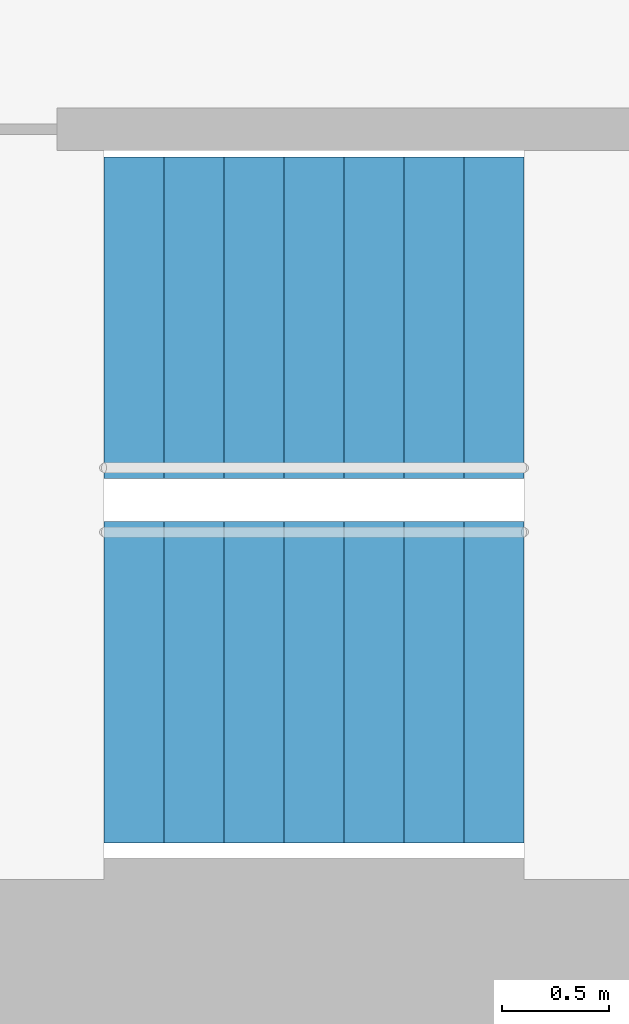
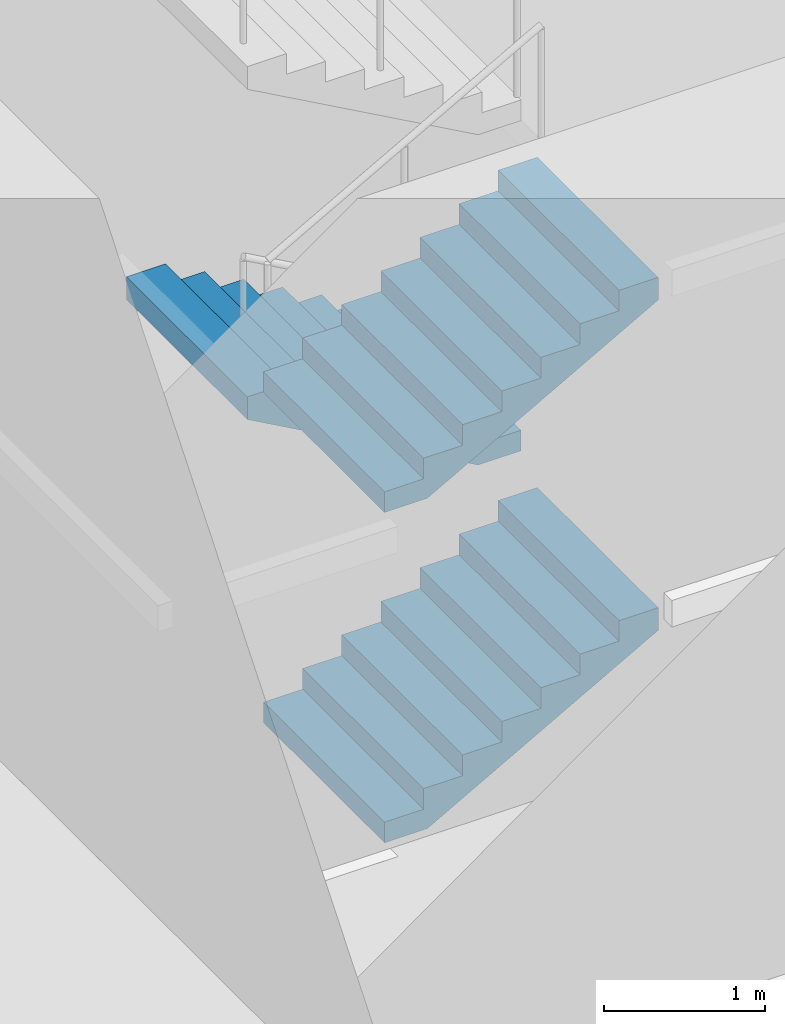
# One storey, part 20 of 25: 3 stair flights, 1 element without a shape of its own.
"""IFC4 building model written with IfcOpenShell, lengths in metres."""

from ifc_helpers import new_model, si_unit, direction, frame, origin, place, context, subcontext, project, spatial, triangles, material, type_object, element, aggregate, save


model = new_model("IFC4")

# Units and contexts
model_context = context("Model", 3, precision=1e-05, world=origin(), true_north=direction((0.0, 1.0)))
body_context = subcontext(model_context, "Body", "Model", "MODEL_VIEW")
ifc_project = project(units=[si_unit("LENGTHUNIT", "METRE"), si_unit("AREAUNIT", "SQUARE_METRE"), si_unit("VOLUMEUNIT", "CUBIC_METRE"), si_unit("PLANEANGLEUNIT", "RADIAN"), si_unit("MASSUNIT", "GRAM", prefix="KILO")], contexts=[model_context])

# Site, building, storey
site_placement = place(None, origin())
site = spatial("IfcSite", under=ifc_project, at=site_placement, CompositionType="ELEMENT")
building_placement = place(site_placement, origin())
building = spatial("IfcBuilding", under=site, at=building_placement, Name="Lantaw Convention Tower", CompositionType="ELEMENT")
storey_placement = place(building_placement, frame((0.0, 0.0, 32.0)))
storey = spatial("IfcBuildingStorey", under=building, at=storey_placement, Name="L05", CompositionType="ELEMENT", Elevation=32.0)

# Stair, stair flights
ifc_material = material(Name="Concrete C35/45", Category="concrete")
stair_type = type_object("IfcStairType", Name="Exit stair 1500 riser 156.25 in 4 flights", PredefinedType="HALF_TURN_STAIR", material=ifc_material)
stair_placement = place(storey_placement, origin())
stair = element("IfcStair", 1, at=stair_placement, inside=storey, type_object=stair_type, Name="Exit stair S1 L05", PredefinedType="HALF_TURN_STAIR")
stair_flight_type = type_object("IfcStairFlightType", Name="Stair flight 1500 riser 156.25", PredefinedType="STRAIGHT", material=ifc_material)
stair_flight_1_placement = place(storey_placement, frame((-10.580078125, -5.97998046875, 0.0), z_axis=(0.0, 0.0, 1.0), x_axis=(1.0, 0.0, 0.0)))
stair_flight_1 = element("IfcStairFlight", 2, at=stair_flight_1_placement, type_object=stair_flight_type, Name="S1 flight 1", NumberOfRisers=8, NumberOfTreads=7, PredefinedType="STRAIGHT", RiserHeight=0.15625, TreadLength=0.28, context=body_context, shape_type="Tessellation", body=[
    triangles([(0.0, 0.75, 0.0), (0.0, 0.75, 0.15625), (0.28, 0.75, 0.0), (0.28, 0.75, 0.15625), (0.28, 0.75, 0.3125), (0.3076200632058044, 0.75, 0.0), (0.3076200632058044, 0.75, 0.3125), (0.56, 0.75, 0.14083701830033238), (0.56, 0.75, 0.3125), (0.56, 0.75, 0.46875), (0.8400000000000001, 0.75, 0.29708701830033235), (0.8400000000000001, 0.75, 0.46875), (0.8400000000000001, 0.75, 0.625), (1.12, 0.75, 0.45333701830033235), (1.12, 0.75, 0.625), (1.12, 0.75, 0.78125), (1.4000000000000001, 0.75, 0.6095870183003324), (1.4000000000000001, 0.75, 0.78125), (1.4000000000000001, 0.75, 0.9375), (1.6800000000000002, 0.75, 0.7658370183003324), (1.6800000000000002, 0.75, 0.9375), (1.6800000000000002, 0.75, 1.09375), (1.9600000000000002, 0.75, 0.9220870183003324), (1.9600000000000002, 0.75, 1.09375), (0.0, -0.75, 0.0), (0.0, -0.75, 0.15625), (0.28, -0.75, 0.0), (0.28, -0.75, 0.15625), (0.28, -0.75, 0.3125), (0.3076200632058044, -0.75, 0.0), (0.3076200632058044, -0.75, 0.3125), (0.56, -0.75, 0.14083701830033238), (0.56, -0.75, 0.3125), (0.56, -0.75, 0.46875), (0.8400000000000001, -0.75, 0.29708701830033235), (0.8400000000000001, -0.75, 0.46875), (0.8400000000000001, -0.75, 0.625), (1.12, -0.75, 0.45333701830033235), (1.12, -0.75, 0.625), (1.12, -0.75, 0.78125), (1.4000000000000001, -0.75, 0.6095870183003324), (1.4000000000000001, -0.75, 0.78125), (1.4000000000000001, -0.75, 0.9375), (1.6800000000000002, -0.75, 0.7658370183003324), (1.6800000000000002, -0.75, 0.9375), (1.6800000000000002, -0.75, 1.09375), (1.9600000000000002, -0.75, 0.9220870183003324), (1.9600000000000002, -0.75, 1.09375), (0.0, 0.15000000000000002, 0.15625), (0.0, 0.15000000000000002, 0.0), (0.0, 0.0, 0.15625), (0.0, 0.0, 0.0), (0.0, -0.15000000000000002, 0.15625), (0.0, -0.15000000000000002, 0.0), (0.28, 0.15000000000000002, 0.3125), (0.28, 0.15000000000000002, 0.15625), (0.28, 0.0, 0.3125), (0.28, 0.0, 0.15625), (0.28, -0.15000000000000002, 0.3125), (0.28, -0.15000000000000002, 0.15625), (0.56, 0.15000000000000002, 0.46875), (0.56, 0.15000000000000002, 0.3125), (0.56, 0.0, 0.46875), (0.56, 0.0, 0.3125), (0.56, -0.15000000000000002, 0.46875), (0.56, -0.15000000000000002, 0.3125), (0.8400000000000001, 0.15000000000000002, 0.625), (0.8400000000000001, 0.15000000000000002, 0.46875), (0.8400000000000001, 0.0, 0.625), (0.8400000000000001, 0.0, 0.46875), (0.8400000000000001, -0.15000000000000002, 0.625), (0.8400000000000001, -0.15000000000000002, 0.46875), (1.12, 0.15000000000000002, 0.78125), (1.12, 0.15000000000000002, 0.625), (1.12, 0.0, 0.78125), (1.12, 0.0, 0.625), (1.12, -0.15000000000000002, 0.78125), (1.12, -0.15000000000000002, 0.625), (1.4000000000000001, 0.15000000000000002, 0.9375), (1.4000000000000001, 0.15000000000000002, 0.78125), (1.4000000000000001, 0.0, 0.9375), (1.4000000000000001, 0.0, 0.78125), (1.4000000000000001, -0.15000000000000002, 0.9375), (1.4000000000000001, -0.15000000000000002, 0.78125), (1.6800000000000002, 0.15000000000000002, 1.09375), (1.6800000000000002, 0.15000000000000002, 0.9375), (1.6800000000000002, 0.0, 1.09375), (1.6800000000000002, 0.0, 0.9375), (1.6800000000000002, -0.15000000000000002, 1.09375), (1.6800000000000002, -0.15000000000000002, 0.9375), (0.3076200632058044, 0.15000000000000002, 0.3125), (0.3076200632058044, 0.0, 0.3125), (0.3076200632058044, -0.15000000000000002, 0.3125), (1.9600000000000002, 0.15000000000000002, 1.09375), (1.9600000000000002, 0.0, 1.09375), (1.9600000000000002, -0.15000000000000002, 1.09375), (1.9600000000000002, 0.15000000000000002, 0.9220870183003324), (1.9600000000000002, 0.0, 0.9220870183003324), (1.9600000000000002, -0.15000000000000002, 0.9220870183003324), (1.6800000000000002, 0.15000000000000002, 0.7658370183003324), (1.6800000000000002, 0.0, 0.7658370183003324), (1.6800000000000002, -0.15000000000000002, 0.7658370183003324), (1.4000000000000001, 0.15000000000000002, 0.6095870183003324), (1.4000000000000001, 0.0, 0.6095870183003324), (1.4000000000000001, -0.15000000000000002, 0.6095870183003324), (1.12, 0.15000000000000002, 0.45333701830033235), (1.12, 0.0, 0.45333701830033235), (1.12, -0.15000000000000002, 0.45333701830033235), (0.8400000000000001, 0.15000000000000002, 0.29708701830033235), (0.8400000000000001, 0.0, 0.29708701830033235), (0.8400000000000001, -0.15000000000000002, 0.29708701830033235), (0.56, 0.15000000000000002, 0.14083701830033238), (0.56, 0.0, 0.14083701830033238), (0.56, -0.15000000000000002, 0.14083701830033238), (0.3076200632058044, 0.15000000000000002, 0.0), (0.3076200632058044, 0.0, 0.0), (0.3076200632058044, -0.15000000000000002, 0.0), (0.28, 0.15000000000000002, 0.0), (0.28, 0.0, 0.0), (0.28, -0.15000000000000002, 0.0)], [[1, 4, 3], [1, 2, 4], [3, 4, 6], [4, 7, 6], [4, 5, 7], [6, 9, 8], [6, 7, 9], [8, 9, 11], [9, 12, 11], [9, 10, 12], [11, 12, 14], [12, 15, 14], [12, 13, 15], [14, 15, 17], [15, 18, 17], [15, 16, 18], [17, 18, 20], [18, 21, 20], [18, 19, 21], [20, 21, 23], [21, 24, 23], [21, 22, 24], [25, 27, 28], [25, 28, 26], [27, 30, 28], [28, 30, 31], [28, 31, 29], [30, 32, 33], [30, 33, 31], [32, 35, 33], [33, 35, 36], [33, 36, 34], [35, 38, 36], [36, 38, 39], [36, 39, 37], [38, 41, 39], [39, 41, 42], [39, 42, 40], [41, 44, 42], [42, 44, 45], [42, 45, 43], [44, 47, 45], [45, 47, 48], [45, 48, 46], [1, 49, 2], [1, 50, 49], [50, 51, 49], [50, 52, 51], [52, 53, 51], [52, 54, 53], [54, 26, 53], [54, 25, 26], [4, 55, 5], [4, 56, 55], [56, 57, 55], [56, 58, 57], [58, 59, 57], [58, 60, 59], [60, 29, 59], [60, 28, 29], [9, 61, 10], [9, 62, 61], [62, 63, 61], [62, 64, 63], [64, 65, 63], [64, 66, 65], [66, 34, 65], [66, 33, 34], [12, 67, 13], [12, 68, 67], [68, 69, 67], [68, 70, 69], [70, 71, 69], [70, 72, 71], [72, 37, 71], [72, 36, 37], [15, 73, 16], [15, 74, 73], [74, 75, 73], [74, 76, 75], [76, 77, 75], [76, 78, 77], [78, 40, 77], [78, 39, 40], [18, 79, 19], [18, 80, 79], [80, 81, 79], [80, 82, 81], [82, 83, 81], [82, 84, 83], [84, 43, 83], [84, 42, 43], [21, 85, 22], [21, 86, 85], [86, 87, 85], [86, 88, 87], [88, 89, 87], [88, 90, 89], [90, 46, 89], [90, 45, 46], [2, 56, 4], [2, 49, 56], [49, 58, 56], [49, 51, 58], [51, 60, 58], [51, 53, 60], [53, 28, 60], [53, 26, 28], [5, 91, 7], [5, 55, 91], [55, 92, 91], [55, 57, 92], [57, 93, 92], [57, 59, 93], [59, 31, 93], [59, 29, 31], [7, 62, 9], [7, 91, 62], [91, 64, 62], [91, 92, 64], [92, 66, 64], [92, 93, 66], [93, 33, 66], [93, 31, 33], [10, 68, 12], [10, 61, 68], [61, 70, 68], [61, 63, 70], [63, 72, 70], [63, 65, 72], [65, 36, 72], [65, 34, 36], [13, 74, 15], [13, 67, 74], [67, 76, 74], [67, 69, 76], [69, 78, 76], [69, 71, 78], [71, 39, 78], [71, 37, 39], [16, 80, 18], [16, 73, 80], [73, 82, 80], [73, 75, 82], [75, 84, 82], [75, 77, 84], [77, 42, 84], [77, 40, 42], [19, 86, 21], [19, 79, 86], [79, 88, 86], [79, 81, 88], [81, 90, 88], [81, 83, 90], [83, 45, 90], [83, 43, 45], [22, 94, 24], [22, 85, 94], [85, 95, 94], [85, 87, 95], [87, 96, 95], [87, 89, 96], [89, 48, 96], [89, 46, 48], [24, 97, 23], [24, 94, 97], [94, 98, 97], [94, 95, 98], [95, 99, 98], [95, 96, 99], [96, 47, 99], [96, 48, 47], [23, 100, 20], [23, 97, 100], [97, 101, 100], [97, 98, 101], [98, 102, 101], [98, 99, 102], [99, 44, 102], [99, 47, 44], [20, 103, 17], [20, 100, 103], [100, 104, 103], [100, 101, 104], [101, 105, 104], [101, 102, 105], [102, 41, 105], [102, 44, 41], [17, 106, 14], [17, 103, 106], [103, 107, 106], [103, 104, 107], [104, 108, 107], [104, 105, 108], [105, 38, 108], [105, 41, 38], [14, 109, 11], [14, 106, 109], [106, 110, 109], [106, 107, 110], [107, 111, 110], [107, 108, 111], [108, 35, 111], [108, 38, 35], [11, 112, 8], [11, 109, 112], [109, 113, 112], [109, 110, 113], [110, 114, 113], [110, 111, 114], [111, 32, 114], [111, 35, 32], [8, 115, 6], [8, 112, 115], [112, 116, 115], [112, 113, 116], [113, 117, 116], [113, 114, 117], [114, 30, 117], [114, 32, 30], [6, 118, 3], [6, 115, 118], [115, 119, 118], [115, 116, 119], [116, 120, 119], [116, 117, 120], [117, 27, 120], [117, 30, 27], [3, 50, 1], [3, 118, 50], [118, 52, 50], [118, 119, 52], [119, 54, 52], [119, 120, 54], [120, 25, 54], [120, 27, 25]], closed=True),
])
stair_flight_2_placement = place(storey_placement, frame((-8.6201171875, -4.280029296875, 1.25), z_axis=(0.0, 0.0, 1.0), x_axis=(-1.0, 0.0, 0.0)))
stair_flight_2 = element("IfcStairFlight", 3, at=stair_flight_2_placement, type_object=stair_flight_type, Name="S1 flight 2", NumberOfRisers=8, NumberOfTreads=7, PredefinedType="STRAIGHT", RiserHeight=0.15625, TreadLength=0.28, context=body_context, shape_type="Tessellation", body=[
    triangles([(0.0, 0.75, 0.0), (0.0, 0.75, 0.15625), (0.28, 0.75, 0.0), (0.28, 0.75, 0.15625), (0.28, 0.75, 0.3125), (0.3076200632058044, 0.75, 0.0), (0.3076200632058044, 0.75, 0.3125), (0.56, 0.75, 0.14083701830033238), (0.56, 0.75, 0.3125), (0.56, 0.75, 0.46875), (0.8400000000000001, 0.75, 0.29708701830033235), (0.8400000000000001, 0.75, 0.46875), (0.8400000000000001, 0.75, 0.625), (1.12, 0.75, 0.45333701830033235), (1.12, 0.75, 0.625), (1.12, 0.75, 0.78125), (1.4000000000000001, 0.75, 0.6095870183003324), (1.4000000000000001, 0.75, 0.78125), (1.4000000000000001, 0.75, 0.9375), (1.6800000000000002, 0.75, 0.7658370183003324), (1.6800000000000002, 0.75, 0.9375), (1.6800000000000002, 0.75, 1.09375), (1.9600000000000002, 0.75, 0.9220870183003324), (1.9600000000000002, 0.75, 1.09375), (0.0, -0.75, 0.0), (0.0, -0.75, 0.15625), (0.28, -0.75, 0.0), (0.28, -0.75, 0.15625), (0.28, -0.75, 0.3125), (0.3076200632058044, -0.75, 0.0), (0.3076200632058044, -0.75, 0.3125), (0.56, -0.75, 0.14083701830033238), (0.56, -0.75, 0.3125), (0.56, -0.75, 0.46875), (0.8400000000000001, -0.75, 0.29708701830033235), (0.8400000000000001, -0.75, 0.46875), (0.8400000000000001, -0.75, 0.625), (1.12, -0.75, 0.45333701830033235), (1.12, -0.75, 0.625), (1.12, -0.75, 0.78125), (1.4000000000000001, -0.75, 0.6095870183003324), (1.4000000000000001, -0.75, 0.78125), (1.4000000000000001, -0.75, 0.9375), (1.6800000000000002, -0.75, 0.7658370183003324), (1.6800000000000002, -0.75, 0.9375), (1.6800000000000002, -0.75, 1.09375), (1.9600000000000002, -0.75, 0.9220870183003324), (1.9600000000000002, -0.75, 1.09375), (0.0, 0.15000000000000002, 0.15625), (0.0, 0.15000000000000002, 0.0), (0.0, 0.0, 0.15625), (0.0, 0.0, 0.0), (0.0, -0.15000000000000002, 0.15625), (0.0, -0.15000000000000002, 0.0), (0.28, 0.15000000000000002, 0.3125), (0.28, 0.15000000000000002, 0.15625), (0.28, 0.0, 0.3125), (0.28, 0.0, 0.15625), (0.28, -0.15000000000000002, 0.3125), (0.28, -0.15000000000000002, 0.15625), (0.56, 0.15000000000000002, 0.46875), (0.56, 0.15000000000000002, 0.3125), (0.56, 0.0, 0.46875), (0.56, 0.0, 0.3125), (0.56, -0.15000000000000002, 0.46875), (0.56, -0.15000000000000002, 0.3125), (0.8400000000000001, 0.15000000000000002, 0.625), (0.8400000000000001, 0.15000000000000002, 0.46875), (0.8400000000000001, 0.0, 0.625), (0.8400000000000001, 0.0, 0.46875), (0.8400000000000001, -0.15000000000000002, 0.625), (0.8400000000000001, -0.15000000000000002, 0.46875), (1.12, 0.15000000000000002, 0.78125), (1.12, 0.15000000000000002, 0.625), (1.12, 0.0, 0.78125), (1.12, 0.0, 0.625), (1.12, -0.15000000000000002, 0.78125), (1.12, -0.15000000000000002, 0.625), (1.4000000000000001, 0.15000000000000002, 0.9375), (1.4000000000000001, 0.15000000000000002, 0.78125), (1.4000000000000001, 0.0, 0.9375), (1.4000000000000001, 0.0, 0.78125), (1.4000000000000001, -0.15000000000000002, 0.9375), (1.4000000000000001, -0.15000000000000002, 0.78125), (1.6800000000000002, 0.15000000000000002, 1.09375), (1.6800000000000002, 0.15000000000000002, 0.9375), (1.6800000000000002, 0.0, 1.09375), (1.6800000000000002, 0.0, 0.9375), (1.6800000000000002, -0.15000000000000002, 1.09375), (1.6800000000000002, -0.15000000000000002, 0.9375), (0.3076200632058044, 0.15000000000000002, 0.3125), (0.3076200632058044, 0.0, 0.3125), (0.3076200632058044, -0.15000000000000002, 0.3125), (1.9600000000000002, 0.15000000000000002, 1.09375), (1.9600000000000002, 0.0, 1.09375), (1.9600000000000002, -0.15000000000000002, 1.09375), (1.9600000000000002, 0.15000000000000002, 0.9220870183003324), (1.9600000000000002, 0.0, 0.9220870183003324), (1.9600000000000002, -0.15000000000000002, 0.9220870183003324), (1.6800000000000002, 0.15000000000000002, 0.7658370183003324), (1.6800000000000002, 0.0, 0.7658370183003324), (1.6800000000000002, -0.15000000000000002, 0.7658370183003324), (1.4000000000000001, 0.15000000000000002, 0.6095870183003324), (1.4000000000000001, 0.0, 0.6095870183003324), (1.4000000000000001, -0.15000000000000002, 0.6095870183003324), (1.12, 0.15000000000000002, 0.45333701830033235), (1.12, 0.0, 0.45333701830033235), (1.12, -0.15000000000000002, 0.45333701830033235), (0.8400000000000001, 0.15000000000000002, 0.29708701830033235), (0.8400000000000001, 0.0, 0.29708701830033235), (0.8400000000000001, -0.15000000000000002, 0.29708701830033235), (0.56, 0.15000000000000002, 0.14083701830033238), (0.56, 0.0, 0.14083701830033238), (0.56, -0.15000000000000002, 0.14083701830033238), (0.3076200632058044, 0.15000000000000002, 0.0), (0.3076200632058044, 0.0, 0.0), (0.3076200632058044, -0.15000000000000002, 0.0), (0.28, 0.15000000000000002, 0.0), (0.28, 0.0, 0.0), (0.28, -0.15000000000000002, 0.0)], [[1, 4, 3], [1, 2, 4], [3, 4, 6], [4, 7, 6], [4, 5, 7], [6, 9, 8], [6, 7, 9], [8, 9, 11], [9, 12, 11], [9, 10, 12], [11, 12, 14], [12, 15, 14], [12, 13, 15], [14, 15, 17], [15, 18, 17], [15, 16, 18], [17, 18, 20], [18, 21, 20], [18, 19, 21], [20, 21, 23], [21, 24, 23], [21, 22, 24], [25, 27, 28], [25, 28, 26], [27, 30, 28], [28, 30, 31], [28, 31, 29], [30, 32, 33], [30, 33, 31], [32, 35, 33], [33, 35, 36], [33, 36, 34], [35, 38, 36], [36, 38, 39], [36, 39, 37], [38, 41, 39], [39, 41, 42], [39, 42, 40], [41, 44, 42], [42, 44, 45], [42, 45, 43], [44, 47, 45], [45, 47, 48], [45, 48, 46], [1, 49, 2], [1, 50, 49], [50, 51, 49], [50, 52, 51], [52, 53, 51], [52, 54, 53], [54, 26, 53], [54, 25, 26], [4, 55, 5], [4, 56, 55], [56, 57, 55], [56, 58, 57], [58, 59, 57], [58, 60, 59], [60, 29, 59], [60, 28, 29], [9, 61, 10], [9, 62, 61], [62, 63, 61], [62, 64, 63], [64, 65, 63], [64, 66, 65], [66, 34, 65], [66, 33, 34], [12, 67, 13], [12, 68, 67], [68, 69, 67], [68, 70, 69], [70, 71, 69], [70, 72, 71], [72, 37, 71], [72, 36, 37], [15, 73, 16], [15, 74, 73], [74, 75, 73], [74, 76, 75], [76, 77, 75], [76, 78, 77], [78, 40, 77], [78, 39, 40], [18, 79, 19], [18, 80, 79], [80, 81, 79], [80, 82, 81], [82, 83, 81], [82, 84, 83], [84, 43, 83], [84, 42, 43], [21, 85, 22], [21, 86, 85], [86, 87, 85], [86, 88, 87], [88, 89, 87], [88, 90, 89], [90, 46, 89], [90, 45, 46], [2, 56, 4], [2, 49, 56], [49, 58, 56], [49, 51, 58], [51, 60, 58], [51, 53, 60], [53, 28, 60], [53, 26, 28], [5, 91, 7], [5, 55, 91], [55, 92, 91], [55, 57, 92], [57, 93, 92], [57, 59, 93], [59, 31, 93], [59, 29, 31], [7, 62, 9], [7, 91, 62], [91, 64, 62], [91, 92, 64], [92, 66, 64], [92, 93, 66], [93, 33, 66], [93, 31, 33], [10, 68, 12], [10, 61, 68], [61, 70, 68], [61, 63, 70], [63, 72, 70], [63, 65, 72], [65, 36, 72], [65, 34, 36], [13, 74, 15], [13, 67, 74], [67, 76, 74], [67, 69, 76], [69, 78, 76], [69, 71, 78], [71, 39, 78], [71, 37, 39], [16, 80, 18], [16, 73, 80], [73, 82, 80], [73, 75, 82], [75, 84, 82], [75, 77, 84], [77, 42, 84], [77, 40, 42], [19, 86, 21], [19, 79, 86], [79, 88, 86], [79, 81, 88], [81, 90, 88], [81, 83, 90], [83, 45, 90], [83, 43, 45], [22, 94, 24], [22, 85, 94], [85, 95, 94], [85, 87, 95], [87, 96, 95], [87, 89, 96], [89, 48, 96], [89, 46, 48], [24, 97, 23], [24, 94, 97], [94, 98, 97], [94, 95, 98], [95, 99, 98], [95, 96, 99], [96, 47, 99], [96, 48, 47], [23, 100, 20], [23, 97, 100], [97, 101, 100], [97, 98, 101], [98, 102, 101], [98, 99, 102], [99, 44, 102], [99, 47, 44], [20, 103, 17], [20, 100, 103], [100, 104, 103], [100, 101, 104], [101, 105, 104], [101, 102, 105], [102, 41, 105], [102, 44, 41], [17, 106, 14], [17, 103, 106], [103, 107, 106], [103, 104, 107], [104, 108, 107], [104, 105, 108], [105, 38, 108], [105, 41, 38], [14, 109, 11], [14, 106, 109], [106, 110, 109], [106, 107, 110], [107, 111, 110], [107, 108, 111], [108, 35, 111], [108, 38, 35], [11, 112, 8], [11, 109, 112], [109, 113, 112], [109, 110, 113], [110, 114, 113], [110, 111, 114], [111, 32, 114], [111, 35, 32], [8, 115, 6], [8, 112, 115], [112, 116, 115], [112, 113, 116], [113, 117, 116], [113, 114, 117], [114, 30, 117], [114, 32, 30], [6, 118, 3], [6, 115, 118], [115, 119, 118], [115, 116, 119], [116, 120, 119], [116, 117, 120], [117, 27, 120], [117, 30, 27], [3, 50, 1], [3, 118, 50], [118, 52, 50], [118, 119, 52], [119, 54, 52], [119, 120, 54], [120, 25, 54], [120, 27, 25]], closed=True),
])
stair_flight_3_placement = place(storey_placement, frame((-10.580078125, -5.97998046875, 2.5), z_axis=(0.0, 0.0, 1.0), x_axis=(1.0, 0.0, 0.0)))
stair_flight_3 = element("IfcStairFlight", 4, at=stair_flight_3_placement, type_object=stair_flight_type, Name="S1 flight 3", NumberOfRisers=8, NumberOfTreads=7, PredefinedType="STRAIGHT", RiserHeight=0.15625, TreadLength=0.28, context=body_context, shape_type="Tessellation", body=[
    triangles([(0.0, 0.75, 0.0), (0.0, 0.75, 0.15625), (0.28, 0.75, 0.0), (0.28, 0.75, 0.15625), (0.28, 0.75, 0.3125), (0.3076200632058044, 0.75, 0.0), (0.3076200632058044, 0.75, 0.3125), (0.56, 0.75, 0.14083701830033238), (0.56, 0.75, 0.3125), (0.56, 0.75, 0.46875), (0.8400000000000001, 0.75, 0.29708701830033235), (0.8400000000000001, 0.75, 0.46875), (0.8400000000000001, 0.75, 0.625), (1.12, 0.75, 0.45333701830033235), (1.12, 0.75, 0.625), (1.12, 0.75, 0.78125), (1.4000000000000001, 0.75, 0.6095870183003324), (1.4000000000000001, 0.75, 0.78125), (1.4000000000000001, 0.75, 0.9375), (1.6800000000000002, 0.75, 0.7658370183003324), (1.6800000000000002, 0.75, 0.9375), (1.6800000000000002, 0.75, 1.09375), (1.9600000000000002, 0.75, 0.9220870183003324), (1.9600000000000002, 0.75, 1.09375), (0.0, -0.75, 0.0), (0.0, -0.75, 0.15625), (0.28, -0.75, 0.0), (0.28, -0.75, 0.15625), (0.28, -0.75, 0.3125), (0.3076200632058044, -0.75, 0.0), (0.3076200632058044, -0.75, 0.3125), (0.56, -0.75, 0.14083701830033238), (0.56, -0.75, 0.3125), (0.56, -0.75, 0.46875), (0.8400000000000001, -0.75, 0.29708701830033235), (0.8400000000000001, -0.75, 0.46875), (0.8400000000000001, -0.75, 0.625), (1.12, -0.75, 0.45333701830033235), (1.12, -0.75, 0.625), (1.12, -0.75, 0.78125), (1.4000000000000001, -0.75, 0.6095870183003324), (1.4000000000000001, -0.75, 0.78125), (1.4000000000000001, -0.75, 0.9375), (1.6800000000000002, -0.75, 0.7658370183003324), (1.6800000000000002, -0.75, 0.9375), (1.6800000000000002, -0.75, 1.09375), (1.9600000000000002, -0.75, 0.9220870183003324), (1.9600000000000002, -0.75, 1.09375), (0.0, 0.15000000000000002, 0.15625), (0.0, 0.15000000000000002, 0.0), (0.0, 0.0, 0.15625), (0.0, 0.0, 0.0), (0.0, -0.15000000000000002, 0.15625), (0.0, -0.15000000000000002, 0.0), (0.28, 0.15000000000000002, 0.3125), (0.28, 0.15000000000000002, 0.15625), (0.28, 0.0, 0.3125), (0.28, 0.0, 0.15625), (0.28, -0.15000000000000002, 0.3125), (0.28, -0.15000000000000002, 0.15625), (0.56, 0.15000000000000002, 0.46875), (0.56, 0.15000000000000002, 0.3125), (0.56, 0.0, 0.46875), (0.56, 0.0, 0.3125), (0.56, -0.15000000000000002, 0.46875), (0.56, -0.15000000000000002, 0.3125), (0.8400000000000001, 0.15000000000000002, 0.625), (0.8400000000000001, 0.15000000000000002, 0.46875), (0.8400000000000001, 0.0, 0.625), (0.8400000000000001, 0.0, 0.46875), (0.8400000000000001, -0.15000000000000002, 0.625), (0.8400000000000001, -0.15000000000000002, 0.46875), (1.12, 0.15000000000000002, 0.78125), (1.12, 0.15000000000000002, 0.625), (1.12, 0.0, 0.78125), (1.12, 0.0, 0.625), (1.12, -0.15000000000000002, 0.78125), (1.12, -0.15000000000000002, 0.625), (1.4000000000000001, 0.15000000000000002, 0.9375), (1.4000000000000001, 0.15000000000000002, 0.78125), (1.4000000000000001, 0.0, 0.9375), (1.4000000000000001, 0.0, 0.78125), (1.4000000000000001, -0.15000000000000002, 0.9375), (1.4000000000000001, -0.15000000000000002, 0.78125), (1.6800000000000002, 0.15000000000000002, 1.09375), (1.6800000000000002, 0.15000000000000002, 0.9375), (1.6800000000000002, 0.0, 1.09375), (1.6800000000000002, 0.0, 0.9375), (1.6800000000000002, -0.15000000000000002, 1.09375), (1.6800000000000002, -0.15000000000000002, 0.9375), (0.3076200632058044, 0.15000000000000002, 0.3125), (0.3076200632058044, 0.0, 0.3125), (0.3076200632058044, -0.15000000000000002, 0.3125), (1.9600000000000002, 0.15000000000000002, 1.09375), (1.9600000000000002, 0.0, 1.09375), (1.9600000000000002, -0.15000000000000002, 1.09375), (1.9600000000000002, 0.15000000000000002, 0.9220870183003324), (1.9600000000000002, 0.0, 0.9220870183003324), (1.9600000000000002, -0.15000000000000002, 0.9220870183003324), (1.6800000000000002, 0.15000000000000002, 0.7658370183003324), (1.6800000000000002, 0.0, 0.7658370183003324), (1.6800000000000002, -0.15000000000000002, 0.7658370183003324), (1.4000000000000001, 0.15000000000000002, 0.6095870183003324), (1.4000000000000001, 0.0, 0.6095870183003324), (1.4000000000000001, -0.15000000000000002, 0.6095870183003324), (1.12, 0.15000000000000002, 0.45333701830033235), (1.12, 0.0, 0.45333701830033235), (1.12, -0.15000000000000002, 0.45333701830033235), (0.8400000000000001, 0.15000000000000002, 0.29708701830033235), (0.8400000000000001, 0.0, 0.29708701830033235), (0.8400000000000001, -0.15000000000000002, 0.29708701830033235), (0.56, 0.15000000000000002, 0.14083701830033238), (0.56, 0.0, 0.14083701830033238), (0.56, -0.15000000000000002, 0.14083701830033238), (0.3076200632058044, 0.15000000000000002, 0.0), (0.3076200632058044, 0.0, 0.0), (0.3076200632058044, -0.15000000000000002, 0.0), (0.28, 0.15000000000000002, 0.0), (0.28, 0.0, 0.0), (0.28, -0.15000000000000002, 0.0)], [[1, 4, 3], [1, 2, 4], [3, 4, 6], [4, 7, 6], [4, 5, 7], [6, 9, 8], [6, 7, 9], [8, 9, 11], [9, 12, 11], [9, 10, 12], [11, 12, 14], [12, 15, 14], [12, 13, 15], [14, 15, 17], [15, 18, 17], [15, 16, 18], [17, 18, 20], [18, 21, 20], [18, 19, 21], [20, 21, 23], [21, 24, 23], [21, 22, 24], [25, 27, 28], [25, 28, 26], [27, 30, 28], [28, 30, 31], [28, 31, 29], [30, 32, 33], [30, 33, 31], [32, 35, 33], [33, 35, 36], [33, 36, 34], [35, 38, 36], [36, 38, 39], [36, 39, 37], [38, 41, 39], [39, 41, 42], [39, 42, 40], [41, 44, 42], [42, 44, 45], [42, 45, 43], [44, 47, 45], [45, 47, 48], [45, 48, 46], [1, 49, 2], [1, 50, 49], [50, 51, 49], [50, 52, 51], [52, 53, 51], [52, 54, 53], [54, 26, 53], [54, 25, 26], [4, 55, 5], [4, 56, 55], [56, 57, 55], [56, 58, 57], [58, 59, 57], [58, 60, 59], [60, 29, 59], [60, 28, 29], [9, 61, 10], [9, 62, 61], [62, 63, 61], [62, 64, 63], [64, 65, 63], [64, 66, 65], [66, 34, 65], [66, 33, 34], [12, 67, 13], [12, 68, 67], [68, 69, 67], [68, 70, 69], [70, 71, 69], [70, 72, 71], [72, 37, 71], [72, 36, 37], [15, 73, 16], [15, 74, 73], [74, 75, 73], [74, 76, 75], [76, 77, 75], [76, 78, 77], [78, 40, 77], [78, 39, 40], [18, 79, 19], [18, 80, 79], [80, 81, 79], [80, 82, 81], [82, 83, 81], [82, 84, 83], [84, 43, 83], [84, 42, 43], [21, 85, 22], [21, 86, 85], [86, 87, 85], [86, 88, 87], [88, 89, 87], [88, 90, 89], [90, 46, 89], [90, 45, 46], [2, 56, 4], [2, 49, 56], [49, 58, 56], [49, 51, 58], [51, 60, 58], [51, 53, 60], [53, 28, 60], [53, 26, 28], [5, 91, 7], [5, 55, 91], [55, 92, 91], [55, 57, 92], [57, 93, 92], [57, 59, 93], [59, 31, 93], [59, 29, 31], [7, 62, 9], [7, 91, 62], [91, 64, 62], [91, 92, 64], [92, 66, 64], [92, 93, 66], [93, 33, 66], [93, 31, 33], [10, 68, 12], [10, 61, 68], [61, 70, 68], [61, 63, 70], [63, 72, 70], [63, 65, 72], [65, 36, 72], [65, 34, 36], [13, 74, 15], [13, 67, 74], [67, 76, 74], [67, 69, 76], [69, 78, 76], [69, 71, 78], [71, 39, 78], [71, 37, 39], [16, 80, 18], [16, 73, 80], [73, 82, 80], [73, 75, 82], [75, 84, 82], [75, 77, 84], [77, 42, 84], [77, 40, 42], [19, 86, 21], [19, 79, 86], [79, 88, 86], [79, 81, 88], [81, 90, 88], [81, 83, 90], [83, 45, 90], [83, 43, 45], [22, 94, 24], [22, 85, 94], [85, 95, 94], [85, 87, 95], [87, 96, 95], [87, 89, 96], [89, 48, 96], [89, 46, 48], [24, 97, 23], [24, 94, 97], [94, 98, 97], [94, 95, 98], [95, 99, 98], [95, 96, 99], [96, 47, 99], [96, 48, 47], [23, 100, 20], [23, 97, 100], [97, 101, 100], [97, 98, 101], [98, 102, 101], [98, 99, 102], [99, 44, 102], [99, 47, 44], [20, 103, 17], [20, 100, 103], [100, 104, 103], [100, 101, 104], [101, 105, 104], [101, 102, 105], [102, 41, 105], [102, 44, 41], [17, 106, 14], [17, 103, 106], [103, 107, 106], [103, 104, 107], [104, 108, 107], [104, 105, 108], [105, 38, 108], [105, 41, 38], [14, 109, 11], [14, 106, 109], [106, 110, 109], [106, 107, 110], [107, 111, 110], [107, 108, 111], [108, 35, 111], [108, 38, 35], [11, 112, 8], [11, 109, 112], [109, 113, 112], [109, 110, 113], [110, 114, 113], [110, 111, 114], [111, 32, 114], [111, 35, 32], [8, 115, 6], [8, 112, 115], [112, 116, 115], [112, 113, 116], [113, 117, 116], [113, 114, 117], [114, 30, 117], [114, 32, 30], [6, 118, 3], [6, 115, 118], [115, 119, 118], [115, 116, 119], [116, 120, 119], [116, 117, 120], [117, 27, 120], [117, 30, 27], [3, 50, 1], [3, 118, 50], [118, 52, 50], [118, 119, 52], [119, 54, 52], [119, 120, 54], [120, 25, 54], [120, 27, 25]], closed=True),
])
aggregate(stair, [stair_flight_1, stair_flight_2, stair_flight_3])

save(model, "model.ifc")
